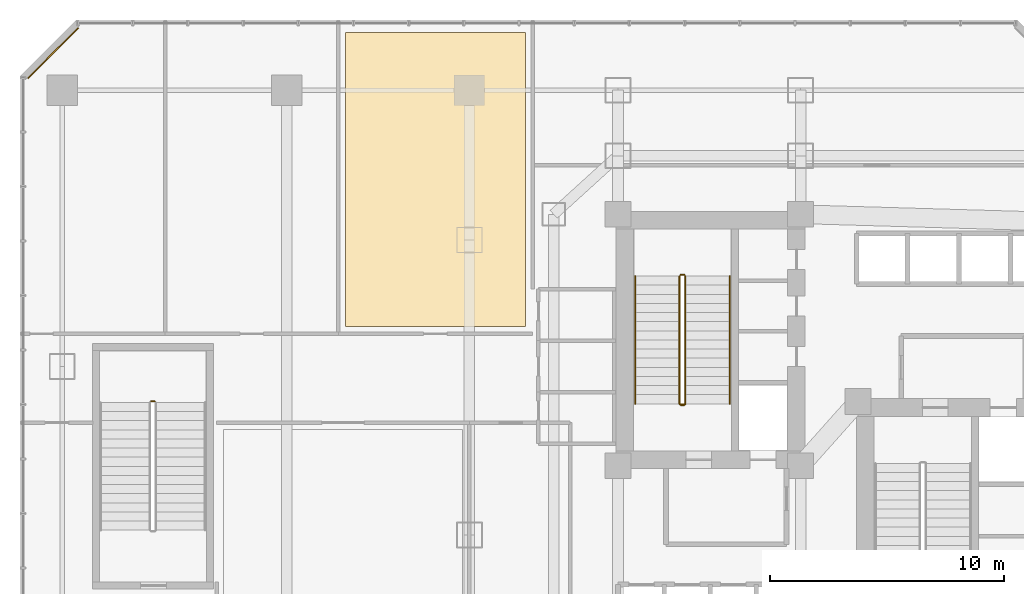
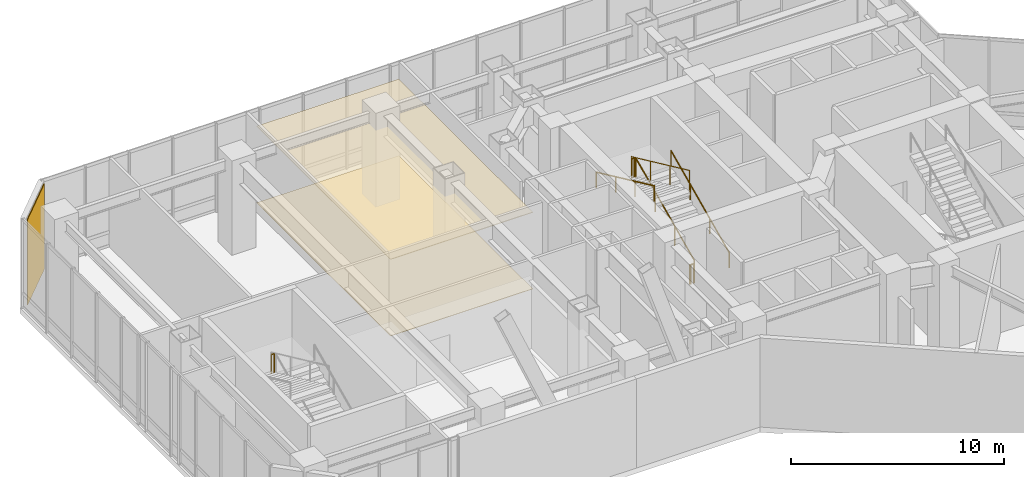
# One storey, part 34 of 35: 8 railings, 3 coverings.
"""IFC4 building model written with IfcOpenShell, lengths in metres."""

from ifc_helpers import new_model, si_unit, direction, frame, origin, origin_2d, place, context, subcontext, project, spatial, polyline, rectangle, circle, outline, extrude, material, layer, layer_set, type_object, element, save


model = new_model("IFC4")

# Units and contexts
model_context = context("Model", 3, precision=1e-05, world=origin(), true_north=direction((0.0, 1.0)))
body_context = subcontext(model_context, "Body", "Model", "MODEL_VIEW")
ifc_project = project(units=[si_unit("LENGTHUNIT", "METRE"), si_unit("AREAUNIT", "SQUARE_METRE"), si_unit("VOLUMEUNIT", "CUBIC_METRE"), si_unit("PLANEANGLEUNIT", "RADIAN"), si_unit("MASSUNIT", "GRAM", prefix="KILO")], contexts=[model_context])

# Site, building, storey
site_placement = place(None, origin())
site = spatial("IfcSite", under=ifc_project, at=site_placement, CompositionType="ELEMENT")
building_placement = place(site_placement, origin())
building = spatial("IfcBuilding", under=site, at=building_placement, Name="Hatsunagi Terrace Concourse", CompositionType="ELEMENT")
storey_placement = place(building_placement, frame((0.0, 0.0, 10.800048828125)))
storey = spatial("IfcBuildingStorey", under=building, at=storey_placement, Name="L03", CompositionType="ELEMENT", Elevation=10.800048828125)

# Covering
ifc_material_1 = material(Name="Granite stone paving", Category="masonry")
ifc_layer_1 = layer(ifc_material_1, 0.02490234375)
ifc_layer_set_1 = layer_set([ifc_layer_1], Name="GraniteStoneFlooring_25")
covering_type_1 = type_object("IfcCoveringType", Name="GraniteStoneFlooring_25", PredefinedType="FLOORING", material=ifc_layer_set_1)
covering_1_placement = place(storey_placement, origin())
element("IfcCovering", 1, at=covering_1_placement, inside=storey, type_object=covering_type_1, Name="Finished Flooring L03-2", PredefinedType="FLOORING", context=body_context, shape_type="SweptSolid", body=[
    extrude(outline(polyline([(21.60009765625, 51.070068359375), (13.89990234375, 51.070068359375), (13.89990234375, 38.5), (21.60009765625, 38.5), (21.60009765625, 51.070068359375)])), origin(), (0.0, 0.0, 1.0), 0.02490234375),
])

# Railings
ifc_material_2 = material(Name="Stainless steel", Category="steel")
ifc_layer_2 = layer(ifc_material_2, 0.044921875)
ifc_layer_set_2 = layer_set([ifc_layer_2], Name="StairPitchHandrail_Tower2000")
railing_type_1 = type_object("IfcRailingType", Name="StairPitchHandrail_Tower2000", PredefinedType="HANDRAIL", material=ifc_layer_set_2)
railing_1_placement = place(storey_placement, frame((30.330078125, 35.199951171875, 0.179931640625)))
element("IfcRailing", 2, at=railing_1_placement, inside=storey, type_object=railing_type_1, Name="L03 ST-A stair handrail 1", PredefinedType="HANDRAIL", context=body_context, shape_type="SweptSolid", body=[
    extrude(circle(Radius=0.02392578125, at=origin_2d()), frame((0.0, 0.0, 0.8759765625), z_axis=(0.0, 0.907957007956, 0.419063326602), x_axis=(-1.0, 0.0, 0.0)), (0.0, 0.0, 1.0), 6.013427734375),
    extrude(circle(Radius=0.02099609375, at=origin_2d()), origin(), (0.0, 0.0, 1.0), 0.851806640625),
    extrude(circle(Radius=0.02099609375, at=origin_2d()), frame((0.0, 1.820068359375, 0.840087890625)), (0.0, 0.0, 1.0), 0.851806640625),
    extrude(circle(Radius=0.02099609375, at=origin_2d()), frame((0.0, 3.639892578125, 1.679931640625)), (0.0, 0.0, 1.0), 0.851806640625),
    extrude(circle(Radius=0.02099609375, at=origin_2d()), frame((0.0, 5.4599609375, 2.52001953125)), (0.0, 0.0, 1.0), 0.851806640625),
])
railing_2_placement = place(storey_placement, frame((26.280029296875, 40.659912109375, 2.8798828125)))
element("IfcRailing", 3, at=railing_2_placement, inside=storey, type_object=railing_type_1, Name="L03 ST-A stair handrail 2", PredefinedType="HANDRAIL", context=body_context, shape_type="SweptSolid", body=[
    extrude(circle(Radius=0.02392578125, at=origin_2d()), frame((0.0, 0.0, 0.8759765625), z_axis=(0.0, -0.907957007956, 0.419063326602), x_axis=(1.0, 0.0, 0.0)), (0.0, 0.0, 1.0), 6.013427734375),
    extrude(circle(Radius=0.02099609375, at=origin_2d()), origin(), (0.0, 0.0, 1.0), 0.851806640625),
    extrude(circle(Radius=0.02099609375, at=origin_2d()), frame((0.0, -1.820068359375, 0.840087890625)), (0.0, 0.0, 1.0), 0.851806640625),
    extrude(circle(Radius=0.02099609375, at=origin_2d()), frame((0.0, -3.639892578125, 1.679931640625)), (0.0, 0.0, 1.0), 0.851806640625),
    extrude(circle(Radius=0.02099609375, at=origin_2d()), frame((0.0, -5.4599609375, 2.52001953125)), (0.0, 0.0, 1.0), 0.851806640625),
])
ifc_material_3 = material(Name="Stainless steel", Category="steel")
ifc_layer_3 = layer(ifc_material_3, 0.06494140625)
ifc_layer_set_3 = layer_set([ifc_layer_3], Name="StairWellGuard_Podium2200")
railing_type_2 = type_object("IfcRailingType", Name="StairWellGuard_Podium2200", PredefinedType="BALUSTRADE", material=ifc_layer_set_3)
railing_3_placement = place(storey_placement, frame((5.75, 35.31005859375, 2.699951171875)))
element("IfcRailing", 4, at=railing_3_placement, inside=storey, type_object=railing_type_2, Name="L03 ST-P1 stair guard 2", PredefinedType="BALUSTRADE", context=body_context, shape_type="SweptSolid", body=[
    extrude(circle(Radius=0.02392578125, at=origin_2d()), frame((0.0, 0.0, 1.09619140625), z_axis=(-1.0, 0.0, 0.0), x_axis=(0.0, -1.0, 0.0)), (0.0, 0.0, 1.0), 0.14990234375),
    extrude(circle(Radius=0.02099609375, at=origin_2d()), origin(), (0.0, 0.0, 1.0), 1.072021484375),
    extrude(circle(Radius=0.02099609375, at=origin_2d()), frame((-0.14990234375, 0.0, 0.0)), (0.0, 0.0, 1.0), 1.072021484375),
])
ifc_material_4 = material(Name="Stainless steel", Category="steel")
ifc_layer_4 = layer(ifc_material_4, 0.06005859375)
ifc_layer_set_4 = layer_set([ifc_layer_4], Name="StairWellGuard_Tower2000")
railing_type_3 = type_object("IfcRailingType", Name="StairWellGuard_Tower2000", PredefinedType="BALUSTRADE", material=ifc_layer_set_4)
railing_4_placement = place(storey_placement, frame((28.429931640625, 35.199951171875, 0.179931640625)))
element("IfcRailing", 5, at=railing_4_placement, inside=storey, type_object=railing_type_3, Name="L03 ST-A stair guard 1", PredefinedType="BALUSTRADE", context=body_context, shape_type="SweptSolid", body=[
    extrude(circle(Radius=0.02392578125, at=origin_2d()), frame((0.0, 0.0, 1.09619140625), z_axis=(0.0, 0.907957007956, 0.419063326602), x_axis=(-1.0, 0.0, 0.0)), (0.0, 0.0, 1.0), 6.013427734375),
    extrude(circle(Radius=0.02099609375, at=origin_2d()), origin(), (0.0, 0.0, 1.0), 1.072021484375),
    extrude(circle(Radius=0.02099609375, at=origin_2d()), frame((0.0, 1.820068359375, 0.840087890625)), (0.0, 0.0, 1.0), 1.072021484375),
    extrude(circle(Radius=0.02099609375, at=origin_2d()), frame((0.0, 3.639892578125, 1.679931640625)), (0.0, 0.0, 1.0), 1.072021484375),
    extrude(circle(Radius=0.02099609375, at=origin_2d()), frame((0.0, 5.4599609375, 2.52001953125)), (0.0, 0.0, 1.0), 1.072021484375),
])
railing_5_placement = place(storey_placement, frame((28.3798828125, 40.7099609375, 2.699951171875)))
element("IfcRailing", 6, at=railing_5_placement, inside=storey, type_object=railing_type_3, Name="L03 ST-A stair guard 2", PredefinedType="BALUSTRADE", context=body_context, shape_type="SweptSolid", body=[
    extrude(circle(Radius=0.02392578125, at=origin_2d()), frame((0.0, 0.0, 1.09619140625), z_axis=(-1.0, 0.0, 0.0), x_axis=(0.0, -1.0, 0.0)), (0.0, 0.0, 1.0), 0.14990234375),
    extrude(circle(Radius=0.02099609375, at=origin_2d()), origin(), (0.0, 0.0, 1.0), 1.072021484375),
    extrude(circle(Radius=0.02099609375, at=origin_2d()), frame((-0.14990234375, 0.0, 0.0)), (0.0, 0.0, 1.0), 1.072021484375),
])
railing_6_placement = place(storey_placement, frame((28.179931640625, 40.659912109375, 2.8798828125)))
element("IfcRailing", 7, at=railing_6_placement, inside=storey, type_object=railing_type_3, Name="L03 ST-A stair guard 3", PredefinedType="BALUSTRADE", context=body_context, shape_type="SweptSolid", body=[
    extrude(circle(Radius=0.02392578125, at=origin_2d()), frame((0.0, 0.0, 1.09619140625), z_axis=(0.0, -0.907957007956, 0.419063326602), x_axis=(1.0, 0.0, 0.0)), (0.0, 0.0, 1.0), 6.013427734375),
    extrude(circle(Radius=0.02099609375, at=origin_2d()), origin(), (0.0, 0.0, 1.0), 1.072021484375),
    extrude(circle(Radius=0.02099609375, at=origin_2d()), frame((0.0, -1.820068359375, 0.840087890625)), (0.0, 0.0, 1.0), 1.072021484375),
    extrude(circle(Radius=0.02099609375, at=origin_2d()), frame((0.0, -3.639892578125, 1.679931640625)), (0.0, 0.0, 1.0), 1.072021484375),
    extrude(circle(Radius=0.02099609375, at=origin_2d()), frame((0.0, -5.4599609375, 2.52001953125)), (0.0, 0.0, 1.0), 1.072021484375),
])
railing_7_placement = place(storey_placement, frame((28.3798828125, 35.14990234375, 0.0)))
element("IfcRailing", 8, at=railing_7_placement, inside=storey, type_object=railing_type_3, Name="L03 ST-A stair guard 4", PredefinedType="BALUSTRADE", context=body_context, shape_type="SweptSolid", body=[
    extrude(circle(Radius=0.02392578125, at=origin_2d()), frame((0.0, 0.0, 1.09619140625), z_axis=(-1.0, 0.0, 0.0), x_axis=(0.0, -1.0, 0.0)), (0.0, 0.0, 1.0), 0.14990234375),
    extrude(circle(Radius=0.02099609375, at=origin_2d()), origin(), (0.0, 0.0, 1.0), 1.072021484375),
    extrude(circle(Radius=0.02099609375, at=origin_2d()), frame((-0.14990234375, 0.0, 0.0)), (0.0, 0.0, 1.0), 1.072021484375),
])
ifc_material_5 = material(Name="Stainless Steel SUS316 Post-and-Rail Guard", Category="steel")
ifc_layer_5 = layer(ifc_material_5, 0.080078125)
ifc_layer_set_5 = layer_set([ifc_layer_5], Name="TerracePlantedGuardRail_1200")
railing_type_4 = type_object("IfcRailingType", Name="TerracePlantedGuardRail_1200", PredefinedType="GUARDRAIL", material=ifc_layer_set_5)
railing_8_placement = place(storey_placement, frame((28.179931640625, 35.179931640625, 0.0)))
element("IfcRailing", 9, at=railing_8_placement, inside=storey, type_object=railing_type_4, Name="Stair ST-A Well Closure Guard L03", PredefinedType="GUARDRAIL", context=body_context, shape_type="SweptSolid", body=[
    extrude(circle(Radius=0.02392578125, at=origin_2d()), frame((0.0, 0.0, 1.09619140625), z_axis=(1.0, 0.0, 0.0), x_axis=(0.0, 1.0, 0.0)), (0.0, 0.0, 1.0), 0.25),
    extrude(circle(Radius=0.02099609375, at=origin_2d()), origin(), (0.0, 0.0, 1.0), 1.072021484375),
    extrude(circle(Radius=0.02099609375, at=origin_2d()), frame((0.25, 0.0, 0.0)), (0.0, 0.0, 1.0), 1.072021484375),
])

# Coverings
ifc_material_6 = material(Name="Unglazed Warm Terracotta Rainscreen Tile", Category="masonry")
ifc_layer_6 = layer(ifc_material_6, 0.044921875)
ifc_layer_set_6 = layer_set([ifc_layer_6], Name="TerracottaRainscreenCladding_45")
covering_type_2 = type_object("IfcCoveringType", Name="TerracottaRainscreenCladding_45", PredefinedType="CLADDING", material=ifc_layer_set_6)
covering_2_placement = place(storey_placement, frame((1.4140625, 50.18603515625, 0.10009765625), z_axis=(0.0, 0.0, 1.0), x_axis=(0.707106781187, 0.707106781187, 0.0)))
element("IfcCovering", 10, at=covering_2_placement, inside=storey, type_object=covering_type_2, Name="Terracotta Rainscreen Cladding L03-11", PredefinedType="CLADDING", context=body_context, shape_type="SweptSolid", body=[
    extrude(rectangle(XDim=3.0380859375, YDim=0.044921875, at=origin_2d()), origin(), (0.0, 0.0, 1.0), 4.89990234375),
])
ifc_material_7 = material(Name="Hardwood timber", Category="wood")
ifc_layer_7 = layer(ifc_material_7, 0.034912109375)
ifc_layer_set_7 = layer_set([ifc_layer_7], Name="TimberBaffleCeiling_35")
covering_type_3 = type_object("IfcCoveringType", Name="TimberBaffleCeiling_35", PredefinedType="CEILING", material=ifc_layer_set_7)
covering_3_placement = place(storey_placement, frame((0.0, 0.0, 4.3798828125)))
element("IfcCovering", 11, at=covering_3_placement, inside=storey, type_object=covering_type_3, Name="Suspended Ceiling L03-2", PredefinedType="CEILING", context=body_context, shape_type="SweptSolid", body=[
    extrude(outline(polyline([(21.60009765625, 51.070068359375), (13.89990234375, 51.070068359375), (13.89990234375, 38.5), (21.60009765625, 38.5), (21.60009765625, 51.070068359375)])), origin(), (0.0, 0.0, 1.0), 0.03515625),
])

save(model, "model.ifc")
